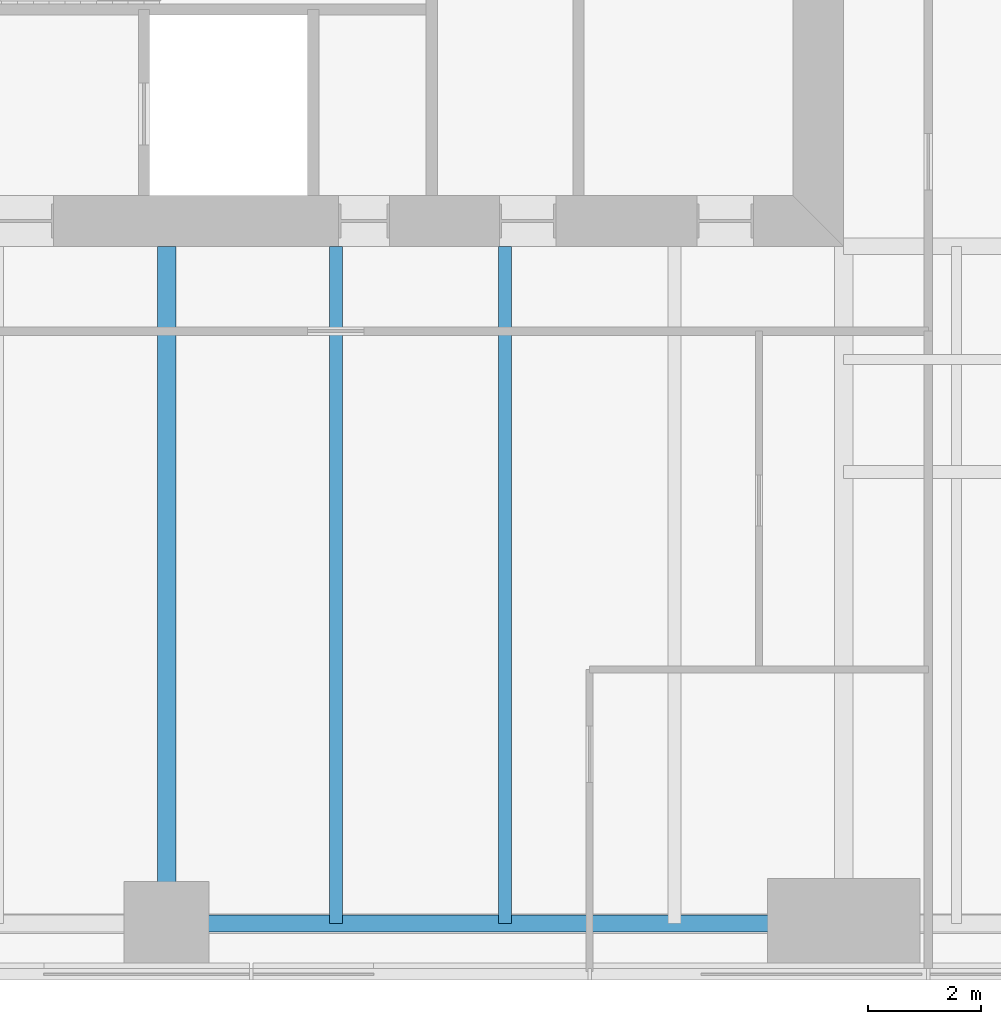
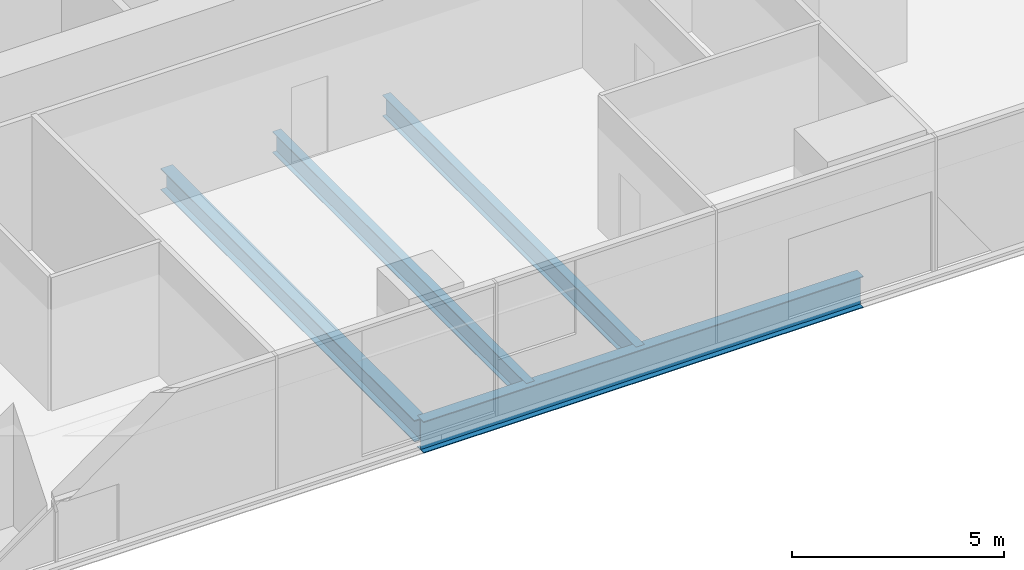
# One storey, part 3 of 13: 4 beams.
"""IFC4 building model written with IfcOpenShell, lengths in metres."""

from ifc_helpers import new_model, si_unit, direction, frame, origin, origin_2d, place, context, subcontext, project, spatial, i_section, extrude, material, material_profile, profile_set, type_object, element, save


model = new_model("IFC4")

# Units and contexts
model_context = context("Model", 3, precision=1e-05, world=origin(), true_north=direction((0.0, 1.0)))
body_context = subcontext(model_context, "Body", "Model", "MODEL_VIEW")
ifc_project = project(units=[si_unit("LENGTHUNIT", "METRE"), si_unit("AREAUNIT", "SQUARE_METRE"), si_unit("VOLUMEUNIT", "CUBIC_METRE"), si_unit("PLANEANGLEUNIT", "RADIAN"), si_unit("MASSUNIT", "GRAM", prefix="KILO")], contexts=[model_context])

# Site, building, storey
site_placement = place(None, origin())
site = spatial("IfcSite", under=ifc_project, at=site_placement, CompositionType="ELEMENT")
building_placement = place(site_placement, origin())
building = spatial("IfcBuilding", under=site, at=building_placement, Name="Fenwick Lantern Interchange", CompositionType="ELEMENT")
storey_placement = place(building_placement, frame((0.0, 0.0, 47.0)))
storey = spatial("IfcBuildingStorey", under=building, at=storey_placement, Name="L10", CompositionType="ELEMENT", Elevation=47.0)

# Beams
ifc_material = material(Name="Steel ASTM A992 Grade 50", Category="steel")
ifc_material_profile_1 = material_profile(ifc_material, i_section(OverallWidth=0.3046875, OverallDepth=0.911865234375, WebThickness=0.015869140625, FlangeThickness=0.02392578125, at=origin_2d()), Name="W36X150")
ifc_profile_set_1 = profile_set([ifc_material_profile_1], Name="Steel ASTM A992 Grade 50")
beam_type_1 = type_object("IfcBeamType", Name="EDGE BEAM W36X150", PredefinedType="SPANDREL", material=ifc_profile_set_1)
beam_1_placement = place(storey_placement, frame((25.0, 1.0, -0.60595703125), z_axis=(1.0, 0.0, 0.0), x_axis=(0.0, 1.0, 0.0)))
element("IfcBeam", 1, at=beam_1_placement, inside=storey, type_object=beam_type_1, Name="L10/FR/S/EB3", PredefinedType="SPANDREL", context=body_context, shape_type="SweptSolid", body=[
    extrude(i_section(OverallWidth=0.3046875, OverallDepth=0.911865234375, WebThickness=0.015869140625, FlangeThickness=0.02392578125, at=origin_2d()), origin(), (0.0, 0.0, 1.0), 12.0),
])
ifc_material_profile_2 = material_profile(ifc_material, i_section(OverallWidth=0.22900390625, OverallDepth=0.612060546875, WebThickness=0.011962890625, FlangeThickness=0.01953125, at=origin_2d()), Name="W24X84")
ifc_profile_set_2 = profile_set([ifc_material_profile_2], Name="Steel ASTM A992 Grade 50")
beam_type_2 = type_object("IfcBeamType", Name="FLOOR BEAM W24X84", PredefinedType="BEAM", material=ifc_profile_set_2)
for number, where, z_axis, x_axis, name in (
    (2, (28.0, 1.0, -0.4560546875), (0.0, 1.0, 0.0), (-1.0, 0.0, 0.0), "L10/FR/S/R06"),
    (3, (31.0, 1.0, -0.4560546875), (0.0, 1.0, 0.0), (-1.0, 0.0, 0.0), "L10/FR/S/R07"),
):
    element("IfcBeam", number, at=place(storey_placement, frame(where, z_axis=z_axis, x_axis=x_axis)), inside=storey, type_object=beam_type_2, Name=name, PredefinedType="BEAM", context=body_context, shape_type="SweptSolid", body=[
        extrude(i_section(OverallWidth=0.22900390625, OverallDepth=0.612060546875, WebThickness=0.011962890625, FlangeThickness=0.01953125, at=origin_2d()), origin(), (0.0, 0.0, 1.0), 12.0),
    ])
ifc_material_profile_3 = material_profile(ifc_material, i_section(OverallWidth=0.32763671875, OverallDepth=0.622314453125, WebThickness=0.015380859375, FlangeThickness=0.0244140625, at=origin_2d()), Name="W24X131")
ifc_profile_set_3 = profile_set([ifc_material_profile_3], Name="Steel ASTM A992 Grade 50")
beam_type_3 = type_object("IfcBeamType", Name="MOMENT-CONNECTED GIRDER W24X131", PredefinedType="BEAM", material=ifc_profile_set_3)
beam_2_placement = place(storey_placement, frame((25.0, 1.0, -0.461181640625), z_axis=(0.0, 1.0, 0.0), x_axis=(-1.0, 0.0, 0.0)))
element("IfcBeam", 4, at=beam_2_placement, inside=storey, type_object=beam_type_3, Name="L10/FR/S/R05", PredefinedType="BEAM", context=body_context, shape_type="SweptSolid", body=[
    extrude(i_section(OverallWidth=0.32763671875, OverallDepth=0.622314453125, WebThickness=0.015380859375, FlangeThickness=0.0244140625, at=origin_2d()), origin(), (0.0, 0.0, 1.0), 12.0),
])

save(model, "model.ifc")
